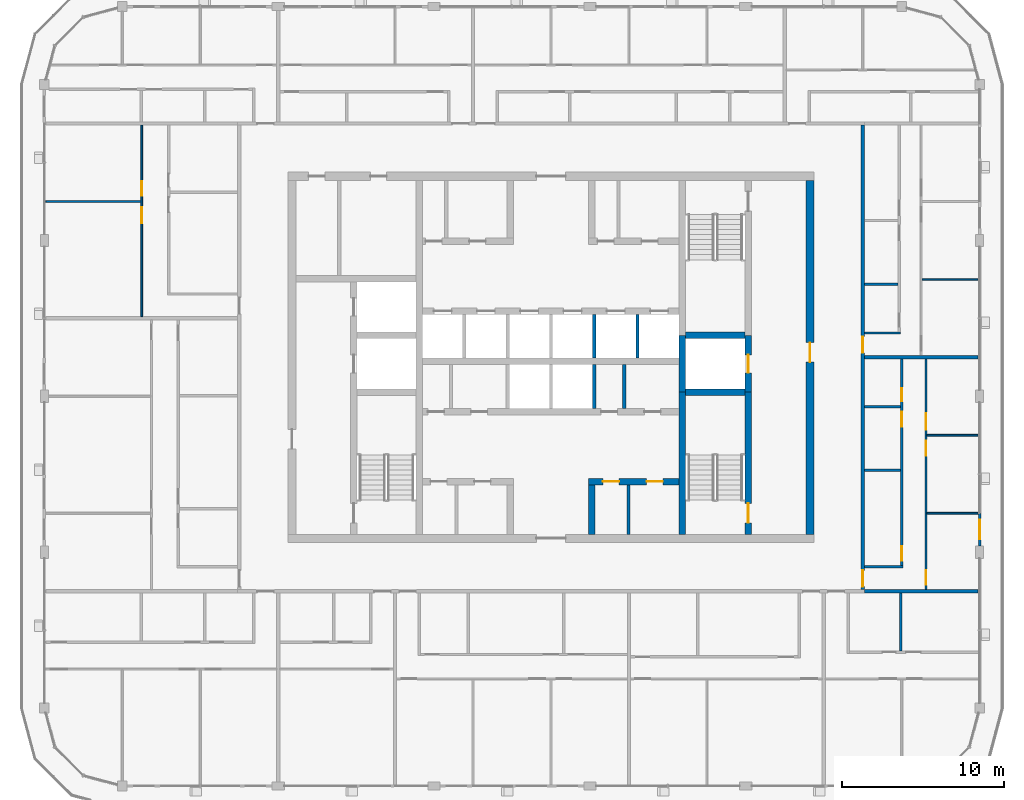
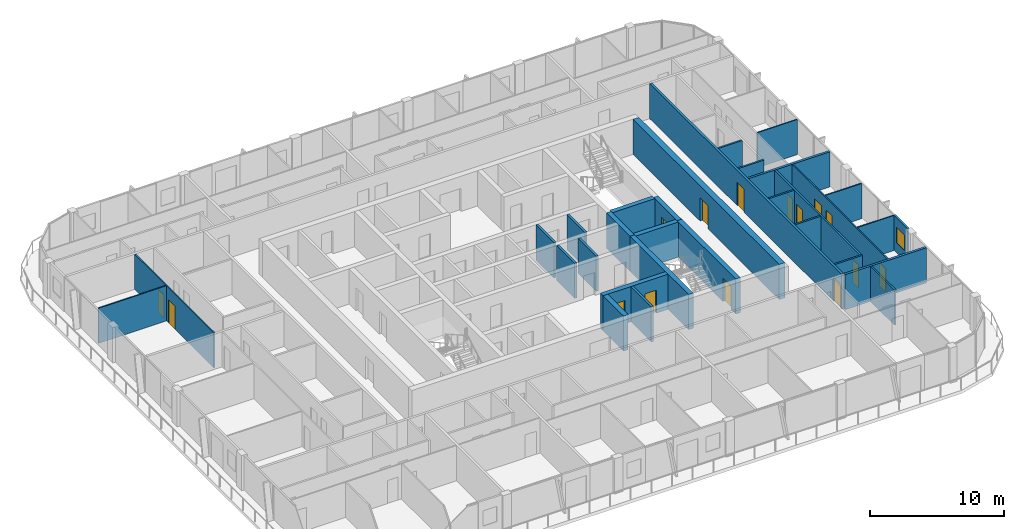
# One storey, part 12 of 22: 31 walls, 15 doors, 1 window, 16 openings.
"""IFC4 building model written with IfcOpenShell, lengths in metres."""

from ifc_helpers import new_model, si_unit, direction, frame, frame_2d, origin, place, context, subcontext, project, spatial, rectangle, extrude, material, layer, layer_set, type_object, element, fill, save


model = new_model("IFC4")

# Units and contexts
model_context = context("Model", 3, precision=1e-05, world=origin(), true_north=direction((0.0, 1.0)))
body_context = subcontext(model_context, "Body", "Model", "MODEL_VIEW")
ifc_project = project(units=[si_unit("LENGTHUNIT", "METRE"), si_unit("AREAUNIT", "SQUARE_METRE"), si_unit("VOLUMEUNIT", "CUBIC_METRE"), si_unit("PLANEANGLEUNIT", "RADIAN"), si_unit("MASSUNIT", "GRAM", prefix="KILO")], contexts=[model_context])

# Site, building, storey
site_placement = place(None, origin())
site = spatial("IfcSite", under=ifc_project, at=site_placement, CompositionType="ELEMENT")
building_placement = place(site_placement, origin())
building = spatial("IfcBuilding", under=site, at=building_placement, Name="Madar Terraces", CompositionType="ELEMENT")
storey_placement = place(building_placement, frame((0.0, 0.0, 279.10009765625)))
storey = spatial("IfcBuildingStorey", under=building, at=storey_placement, Name="L73", CompositionType="ELEMENT", Elevation=279.10009765625)

# Walls
ifc_material_1 = material(Name="Concrete C50/60", Category="concrete")
ifc_layer_1 = layer(ifc_material_1, 0.39990234375)
ifc_layer_set_1 = layer_set([ifc_layer_1], Name="Concrete C50/60 (CIW6 RC wall 400)")
wall_type_1 = type_object("IfcWallType", Name="CIW6 RC wall 400", PredefinedType="SHEAR", material=ifc_layer_set_1)
wall_1_placement = place(storey_placement, frame((39.300048828125, 15.5, 0.0), z_axis=(0.0, 0.0, 1.0), x_axis=(0.0, 1.0, 0.0)))
element("IfcWall", 1, at=wall_1_placement, inside=storey, type_object=wall_type_1, Name="CORE SHAFT WALL", PredefinedType="SHEAR", context=body_context, shape_type="SweptSolid", body=[
    extrude(rectangle(XDim=8.75, YDim=0.39990234375, at=frame_2d((4.375, 0.0))), origin(), (0.0, 0.0, 1.0), 3.199951171875),
])
wall_2_placement = place(storey_placement, frame((39.300048828125, 24.25, 0.0), z_axis=(0.0, 0.0, 1.0), x_axis=(0.0, 1.0, 0.0)))
element("IfcWall", 2, at=wall_2_placement, inside=storey, type_object=wall_type_1, Name="CORE SHAFT WALL", PredefinedType="SHEAR", context=body_context, shape_type="SweptSolid", body=[
    extrude(rectangle(XDim=3.5, YDim=0.39990234375, at=frame_2d((1.75, 0.0))), origin(), (0.0, 0.0, 1.0), 3.199951171875),
])

# Wall, opening, door
wall_3_placement = place(storey_placement, frame((43.35009765625, 15.5, 0.0), z_axis=(0.0, 0.0, 1.0), x_axis=(0.0, 1.0, 0.0)))
wall_3 = element("IfcWall", 3, at=wall_3_placement, inside=storey, type_object=wall_type_1, Name="CORE SHAFT WALL", PredefinedType="SHEAR", context=body_context, shape_type="SweptSolid", body=[
    extrude(rectangle(XDim=8.75, YDim=0.39990234375, at=frame_2d((4.375, 0.0))), origin(), (0.0, 0.0, 1.0), 3.199951171875),
])
opening_1_placement = place(wall_3_placement, frame((0.699951171875, 0.0, 0.0)))
opening_1 = element("IfcOpeningElement", 4, at=opening_1_placement, cuts=wall_3, Name="Opening SD1", PredefinedType="OPENING", context=body_context, shape_type="SweptSolid", body=[
    extrude(rectangle(XDim=1.199951171875, YDim=2.10009765625, at=frame_2d((0.60009765625, 1.050048828125))), frame((0.0, 0.2099609375, 0.0), z_axis=(0.0, -1.0, 0.0), x_axis=(1.0, 0.0, 0.0)), (0.0, 0.0, 1.0), 0.419921875),
])
ifc_material_2 = material(Name="Steel door leaf", Category="steel")
door_type_1 = type_object("IfcDoorType", Name="Stair door 1200 x 2100", OperationType="NOTDEFINED", PredefinedType="DOOR", material=ifc_material_2)
door_1_placement = place(opening_1_placement, origin())
door_1 = element("IfcDoor", 5, at=door_1_placement, inside=storey, type_object=door_type_1, Name="STAIR DOOR", OperationType="SINGLE_SWING_RIGHT", OverallHeight=2.10009765625, OverallWidth=1.199951171875, PredefinedType="DOOR", context=body_context, shape_type="SweptSolid", body=[
    extrude(rectangle(XDim=1.199951171875, YDim=2.10009765625, at=frame_2d((0.60009765625, 1.050048828125))), frame((0.0, 0.02490234375, 0.0), z_axis=(0.0, -1.0, 0.0), x_axis=(1.0, 0.0, 0.0)), (0.0, 0.0, 1.0), 0.050048828125),
])
fill(opening_1, door_1)

wall_4_placement = place(storey_placement, frame((43.35009765625, 24.25, 0.0), z_axis=(0.0, 0.0, 1.0), x_axis=(0.0, 1.0, 0.0)))
wall_4 = element("IfcWall", 6, at=wall_4_placement, inside=storey, type_object=wall_type_1, Name="CORE SHAFT WALL", PredefinedType="SHEAR", context=body_context, shape_type="SweptSolid", body=[
    extrude(rectangle(XDim=3.5, YDim=0.39990234375, at=frame_2d((1.75, 0.0))), origin(), (0.0, 0.0, 1.0), 3.199951171875),
])
opening_2_placement = place(wall_4_placement, frame((1.199951171875, 0.0, 0.0)))
opening_2 = element("IfcOpeningElement", 7, at=opening_2_placement, cuts=wall_4, Name="Opening LD", PredefinedType="OPENING", context=body_context, shape_type="SweptSolid", body=[
    extrude(rectangle(XDim=1.10009765625, YDim=2.10009765625, at=frame_2d((0.550048828125, 1.050048828125))), frame((0.0, 0.2099609375, 0.0), z_axis=(0.0, -1.0, 0.0), x_axis=(1.0, 0.0, 0.0)), (0.0, 0.0, 1.0), 0.419921875),
])
ifc_material_3 = material(Name="Stainless steel panel", Category="steel")
door_type_2 = type_object("IfcDoorType", Name="Lift landing door 1100 x 2100", OperationType="DOUBLE_DOOR_SLIDING", PredefinedType="DOOR", material=ifc_material_3)
door_2_placement = place(opening_2_placement, origin())
door_2 = element("IfcDoor", 8, at=door_2_placement, inside=storey, type_object=door_type_2, Name="LIFT LANDING DOOR", OperationType="DOUBLE_DOOR_SLIDING", OverallHeight=2.10009765625, OverallWidth=1.10009765625, PredefinedType="DOOR", context=body_context, shape_type="SweptSolid", body=[
    extrude(rectangle(XDim=1.10009765625, YDim=2.10009765625, at=frame_2d((0.550048828125, 1.050048828125))), frame((0.0, 0.02490234375, 0.0), z_axis=(0.0, -1.0, 0.0), x_axis=(1.0, 0.0, 0.0)), (0.0, 0.0, 1.0), 0.050048828125),
])
fill(opening_2, door_2)

# Walls
for number, where, z_axis, x_axis, name in (
    (9, (39.5, 24.25, 0.0), (0.0, 0.0, 1.0), (1.0, 0.0, 0.0), "CORE SHAFT WALL"),
    (10, (39.5, 27.75, 0.0), (0.0, 0.0, 1.0), (1.0, 0.0, 0.0), "CORE SHAFT WALL"),
):
    element("IfcWall", number, at=place(storey_placement, frame(where, z_axis=z_axis, x_axis=x_axis)), inside=storey, type_object=wall_type_1, Name=name, PredefinedType="SHEAR", context=body_context, shape_type="SweptSolid", body=[
        extrude(rectangle(XDim=3.64990234375, YDim=0.39990234375, at=frame_2d((1.824951171875, 0.0))), origin(), (0.0, 0.0, 1.0), 3.199951171875),
    ])

# Wall, openings, doors
wall_5_placement = place(storey_placement, frame((33.5, 18.75, 0.0), z_axis=(0.0, 0.0, 1.0), x_axis=(1.0, 0.0, 0.0)))
wall_5 = element("IfcWall", 11, at=wall_5_placement, inside=storey, type_object=wall_type_1, Name="CORE SHAFT WALL", PredefinedType="SHEAR", context=body_context, shape_type="SweptSolid", body=[
    extrude(rectangle(XDim=5.60009765625, YDim=0.39990234375, at=frame_2d((2.800048828125, 0.0))), origin(), (0.0, 0.0, 1.0), 3.199951171875),
])
opening_3_placement = place(wall_5_placement, frame((0.889892578125, 0.0, 0.0)))
opening_3 = element("IfcOpeningElement", 12, at=opening_3_placement, cuts=wall_5, Name="Opening KD2", PredefinedType="OPENING", context=body_context, shape_type="SweptSolid", body=[
    extrude(rectangle(XDim=1.0, YDim=2.10009765625, at=frame_2d((0.5, 1.050048828125))), frame((0.0, 0.2099609375, 0.0), z_axis=(0.0, -1.0, 0.0), x_axis=(1.0, 0.0, 0.0)), (0.0, 0.0, 1.0), 0.419921875),
])
opening_4_placement = place(wall_5_placement, frame((3.590087890625, 0.0, 0.0)))
opening_4 = element("IfcOpeningElement", 13, at=opening_4_placement, cuts=wall_5, Name="Opening KD2", PredefinedType="OPENING", context=body_context, shape_type="SweptSolid", body=[
    extrude(rectangle(XDim=1.0, YDim=2.10009765625, at=frame_2d((0.5, 1.050048828125))), frame((0.0, 0.2099609375, 0.0), z_axis=(0.0, -1.0, 0.0), x_axis=(1.0, 0.0, 0.0)), (0.0, 0.0, 1.0), 0.419921875),
])
ifc_material_4 = material(Name="Steel door leaf", Category="steel")
door_type_3 = type_object("IfcDoorType", Name="Service room door 1000 x 2100", OperationType="NOTDEFINED", PredefinedType="DOOR", material=ifc_material_4)
door_3_placement = place(opening_3_placement, origin())
door_3 = element("IfcDoor", 14, at=door_3_placement, inside=storey, type_object=door_type_3, Name="SERVICE ROOM DOOR", OperationType="SINGLE_SWING_RIGHT", OverallHeight=2.10009765625, OverallWidth=1.0, PredefinedType="DOOR", context=body_context, shape_type="SweptSolid", body=[
    extrude(rectangle(XDim=1.0, YDim=2.10009765625, at=frame_2d((0.5, 1.050048828125))), frame((0.0, 0.02490234375, 0.0), z_axis=(0.0, -1.0, 0.0), x_axis=(1.0, 0.0, 0.0)), (0.0, 0.0, 1.0), 0.050048828125),
])
fill(opening_3, door_3)
door_4_placement = place(opening_4_placement, origin())
door_4 = element("IfcDoor", 15, at=door_4_placement, inside=storey, type_object=door_type_3, Name="SERVICE ROOM DOOR", OperationType="SINGLE_SWING_LEFT", OverallHeight=2.10009765625, OverallWidth=1.0, PredefinedType="DOOR", context=body_context, shape_type="SweptSolid", body=[
    extrude(rectangle(XDim=1.0, YDim=2.10009765625, at=frame_2d((0.5, 1.050048828125))), frame((0.0, 0.02490234375, 0.0), z_axis=(0.0, -1.0, 0.0), x_axis=(1.0, 0.0, 0.0)), (0.0, 0.0, 1.0), 0.050048828125),
])
fill(opening_4, door_4)

# Wall
wall_6_placement = place(storey_placement, frame((33.699951171875, 15.5, 0.0), z_axis=(0.0, 0.0, 1.0), x_axis=(0.0, 1.0, 0.0)))
element("IfcWall", 16, at=wall_6_placement, inside=storey, type_object=wall_type_1, Name="CORE SHAFT WALL", PredefinedType="SHEAR", context=body_context, shape_type="SweptSolid", body=[
    extrude(rectangle(XDim=3.050048828125, YDim=0.39990234375, at=frame_2d((1.52490234375, 0.0))), origin(), (0.0, 0.0, 1.0), 3.199951171875),
])

# Wall, opening, door
ifc_material_5 = material(Name="Concrete C50/60", Category="concrete")
ifc_layer_2 = layer(ifc_material_5, 0.5)
ifc_layer_set_2 = layer_set([ifc_layer_2], Name="Concrete C50/60 (CRW6 RC wall 500)")
wall_type_2 = type_object("IfcWallType", Name="CRW6 RC wall 500", PredefinedType="SHEAR", material=ifc_layer_set_2)
wall_7_placement = place(storey_placement, frame((47.14990234375, 15.5, 0.0), z_axis=(0.0, 0.0, 1.0), x_axis=(0.0, 1.0, 0.0)))
wall_7 = element("IfcWall", 17, at=wall_7_placement, inside=storey, type_object=wall_type_2, Name="CORE OUTER WALL", PredefinedType="SHEAR", context=body_context, shape_type="SweptSolid", body=[
    extrude(rectangle(XDim=21.800048828125, YDim=0.5, at=frame_2d((10.89990234375, 0.0))), origin(), (0.0, 0.0, 1.0), 3.199951171875),
])
opening_5_placement = place(wall_7_placement, frame((10.60009765625, 0.0, 0.0)))
opening_5 = element("IfcOpeningElement", 18, at=opening_5_placement, cuts=wall_7, Name="Opening SD1", PredefinedType="OPENING", context=body_context, shape_type="SweptSolid", body=[
    extrude(rectangle(XDim=1.199951171875, YDim=2.10009765625, at=frame_2d((0.60009765625, 1.050048828125))), frame((0.0, 0.260009765625, 0.0), z_axis=(0.0, -1.0, 0.0), x_axis=(1.0, 0.0, 0.0)), (0.0, 0.0, 1.0), 0.52001953125),
])
door_5_placement = place(opening_5_placement, origin())
door_5 = element("IfcDoor", 19, at=door_5_placement, inside=storey, type_object=door_type_1, Name="STAIR DOOR", OperationType="SINGLE_SWING_LEFT", OverallHeight=2.10009765625, OverallWidth=1.199951171875, PredefinedType="DOOR", context=body_context, shape_type="SweptSolid", body=[
    extrude(rectangle(XDim=1.199951171875, YDim=2.10009765625, at=frame_2d((0.60009765625, 1.050048828125))), frame((0.0, 0.02490234375, 0.0), z_axis=(0.0, -1.0, 0.0), x_axis=(1.0, 0.0, 0.0)), (0.0, 0.0, 1.0), 0.050048828125),
])
fill(opening_5, door_5)

# Walls
ifc_material_6 = material(Name="Masonry blockwork", Category="masonry")
ifc_layer_3 = layer(ifc_material_6, 0.199951171875)
ifc_layer_set_3 = layer_set([ifc_layer_3], Name="Core partition 200 blockwork")
wall_type_3 = type_object("IfcWallType", Name="Core partition 200 blockwork", PredefinedType="PARTITIONING", material=ifc_layer_set_3)
wall_8_placement = place(storey_placement, frame((35.7119140625, 23.25, 0.0), z_axis=(0.0, 0.0, 1.0), x_axis=(0.0, 1.0, 0.0)))
element("IfcWall", 20, at=wall_8_placement, inside=storey, type_object=wall_type_3, Name="SERVICE ROOM PARTITION", PredefinedType="PARTITIONING", context=body_context, shape_type="SweptSolid", body=[
    extrude(rectangle(XDim=2.699951171875, YDim=0.199951171875, at=frame_2d((1.35009765625, 0.0))), origin(), (0.0, 0.0, 1.0), 3.199951171875),
])
wall_9_placement = place(storey_placement, frame((35.97998046875, 15.5, 0.0), z_axis=(0.0, 0.0, 1.0), x_axis=(0.0, 1.0, 0.0)))
element("IfcWall", 21, at=wall_9_placement, inside=storey, type_object=wall_type_3, Name="SERVICE ROOM PARTITION", PredefinedType="PARTITIONING", context=body_context, shape_type="SweptSolid", body=[
    extrude(rectangle(XDim=3.050048828125, YDim=0.199951171875, at=frame_2d((1.52490234375, 0.0))), origin(), (0.0, 0.0, 1.0), 3.199951171875),
])
ifc_material_7 = material(Name="Concrete C40/50", Category="concrete")
ifc_layer_4 = layer(ifc_material_7, 0.199951171875)
ifc_layer_set_4 = layer_set([ifc_layer_4], Name="Core shaft dividing wall 200 C40/50")
wall_type_4 = type_object("IfcWallType", Name="Core shaft dividing wall 200 C40/50", PredefinedType="SOLIDWALL", material=ifc_layer_set_4)
for number, where, z_axis, x_axis, name in (
    (22, (33.86669921875, 23.25, 0.0), (0.0, 0.0, 1.0), (0.0, 1.0, 0.0), "SHAFT DIVIDING WALL"),
    (23, (33.86669921875, 26.35009765625, 0.0), (0.0, 0.0, 1.0), (0.0, 1.0, 0.0), "SHAFT DIVIDING WALL"),
    (24, (36.533447265625, 26.35009765625, 0.0), (0.0, 0.0, 1.0), (0.0, 1.0, 0.0), "SHAFT DIVIDING WALL"),
):
    element("IfcWall", number, at=place(storey_placement, frame(where, z_axis=z_axis, x_axis=x_axis)), inside=storey, type_object=wall_type_4, Name=name, PredefinedType="SOLIDWALL", context=body_context, shape_type="SweptSolid", body=[
        extrude(rectangle(XDim=2.699951171875, YDim=0.199951171875, at=frame_2d((1.35009765625, 0.0))), origin(), (0.0, 0.0, 1.0), 3.199951171875),
    ])

# Wall, opening, window
ifc_material_8 = material(Name="Aluminium composite panel, black, over insulated backing", Category="aluminium")
ifc_layer_5 = layer(ifc_material_8, 0.14990234375)
ifc_layer_set_5 = layer_set([ifc_layer_5], Name="Facade bay panel 150")
wall_type_5 = type_object("IfcWallType", Name="Facade bay panel 150", PredefinedType="SOLIDWALL", material=ifc_layer_set_5)
wall_10_placement = place(storey_placement, frame((57.60009765625, 14.77490234375, 0.0), z_axis=(0.0, 0.0, 1.0), x_axis=(0.0, 1.0, 0.0)))
wall_10 = element("IfcWall", 25, at=wall_10_placement, inside=storey, type_object=wall_type_5, Name="Facade bay panel", PredefinedType="SOLIDWALL", context=body_context, shape_type="SweptSolid", body=[
    extrude(rectangle(XDim=2.025146484375, YDim=0.14990234375, at=frame_2d((1.0126953125, 0.0))), origin(), (0.0, 0.0, 1.0), 3.199951171875),
])
opening_6_placement = place(wall_10_placement, frame((0.41259765625, 0.0, 0.89990234375)))
opening_6 = element("IfcOpeningElement", 26, at=opening_6_placement, cuts=wall_10, Name="Opening W1", PredefinedType="OPENING", context=body_context, shape_type="SweptSolid", body=[
    extrude(rectangle(XDim=1.199951171875, YDim=1.39990234375, at=frame_2d((0.60009765625, 0.699951171875))), frame((0.0, 0.0849609375, 0.0), z_axis=(0.0, -1.0, 0.0), x_axis=(1.0, 0.0, 0.0)), (0.0, 0.0, 1.0), 0.169921875),
])
ifc_material_9 = material(Name="Glass, clear, with black aluminium frame", Category="aluminium")
window_type = type_object("IfcWindowType", Name="Vent window 1200 x 1400", PartitioningType="SINGLE_PANEL", PredefinedType="WINDOW", material=ifc_material_9)
window_placement = place(opening_6_placement, origin())
window = element("IfcWindow", 27, at=window_placement, inside=storey, type_object=window_type, Name="Operable vent window", OverallHeight=1.39990234375, OverallWidth=1.199951171875, PartitioningType="SINGLE_PANEL", PredefinedType="WINDOW", context=body_context, shape_type="SweptSolid", body=[
    extrude(rectangle(XDim=1.199951171875, YDim=1.39990234375, at=frame_2d((0.60009765625, 0.699951171875))), frame((0.0, 0.030029296875, 0.0), z_axis=(0.0, -1.0, 0.0), x_axis=(1.0, 0.0, 0.0)), (0.0, 0.0, 1.0), 0.06005859375),
])
fill(opening_6, window)

# Walls
ifc_material_10 = material(Name="Gypsum board on steel studs", Category="steel")
ifc_layer_6 = layer(ifc_material_10, 0.10009765625)
ifc_layer_set_6 = layer_set([ifc_layer_6], Name="Flat partition 100")
wall_type_6 = type_object("IfcWallType", Name="Flat partition 100", PredefinedType="PARTITIONING", material=ifc_layer_set_6)
for number, where, z_axis, x_axis, name in (
    (28, (54.35009765625, 16.800048828125, 0.0), (0.0, 0.0, 1.0), (1.0, 0.0, 0.0), "Flat partition 100"),
    (29, (54.35009765625, 21.60009765625, 0.0), (0.0, 0.0, 1.0), (1.0, 0.0, 0.0), "Flat partition 100"),
):
    element("IfcWall", number, at=place(storey_placement, frame(where, z_axis=z_axis, x_axis=x_axis)), inside=storey, type_object=wall_type_6, Name=name, PredefinedType="PARTITIONING", context=body_context, shape_type="SweptSolid", body=[
        extrude(rectangle(XDim=3.14990234375, YDim=0.10009765625, at=frame_2d((1.574951171875, 0.0))), origin(), (0.0, 0.0, 1.0), 3.199951171875),
    ])

# Wall, openings, doors
wall_11_placement = place(storey_placement, frame((54.300048828125, 26.300048828125, 0.0), z_axis=(0.0, 0.0, 1.0), x_axis=(0.0, -1.0, 0.0)))
wall_11 = element("IfcWall", 30, at=wall_11_placement, inside=storey, type_object=wall_type_6, Name="Flat partition 100", PredefinedType="PARTITIONING", context=body_context, shape_type="SweptSolid", body=[
    extrude(rectangle(XDim=14.199951171875, YDim=0.10009765625, at=frame_2d((7.10009765625, 0.0))), origin(), (0.0, 0.0, 1.0), 3.199951171875),
])
opening_7_placement = place(wall_11_placement, frame((13.0, 0.0, 0.0)))
opening_7 = element("IfcOpeningElement", 31, at=opening_7_placement, cuts=wall_11, Name="Opening D2", PredefinedType="OPENING", context=body_context, shape_type="SweptSolid", body=[
    extrude(rectangle(XDim=0.89990234375, YDim=2.10009765625, at=frame_2d((0.449951171875, 1.050048828125))), frame((0.0, 0.06005859375, 0.0), z_axis=(0.0, -1.0, 0.0), x_axis=(1.0, 0.0, 0.0)), (0.0, 0.0, 1.0), 0.1201171875),
])
opening_8_placement = place(wall_11_placement, frame((5.050048828125, 0.0, 0.0)))
opening_8 = element("IfcOpeningElement", 32, at=opening_8_placement, cuts=wall_11, Name="Opening D2", PredefinedType="OPENING", context=body_context, shape_type="SweptSolid", body=[
    extrude(rectangle(XDim=0.89990234375, YDim=2.10009765625, at=frame_2d((0.449951171875, 1.050048828125))), frame((0.0, 0.06005859375, 0.0), z_axis=(0.0, -1.0, 0.0), x_axis=(1.0, 0.0, 0.0)), (0.0, 0.0, 1.0), 0.1201171875),
])
opening_9_placement = place(wall_11_placement, frame((3.35009765625, 0.0, 0.0)))
opening_9 = element("IfcOpeningElement", 33, at=opening_9_placement, cuts=wall_11, Name="Opening D3", PredefinedType="OPENING", context=body_context, shape_type="SweptSolid", body=[
    extrude(rectangle(XDim=1.0, YDim=2.10009765625, at=frame_2d((0.5, 1.050048828125))), frame((0.0, 0.06005859375, 0.0), z_axis=(0.0, -1.0, 0.0), x_axis=(1.0, 0.0, 0.0)), (0.0, 0.0, 1.0), 0.1201171875),
])
ifc_material_11 = material(Name="Timber door leaf", Category="wood")
door_type_4 = type_object("IfcDoorType", Name="Flat living room door 1000", OperationType="NOTDEFINED", PredefinedType="DOOR", material=ifc_material_11)
door_6_placement = place(opening_9_placement, origin())
door_6 = element("IfcDoor", 34, at=door_6_placement, inside=storey, type_object=door_type_4, Name="Flat living room door 1000", OperationType="SINGLE_SWING_RIGHT", OverallHeight=2.10009765625, OverallWidth=1.0, PredefinedType="DOOR", context=body_context, shape_type="SweptSolid", body=[
    extrude(rectangle(XDim=1.0, YDim=2.10009765625, at=frame_2d((0.5, 1.050048828125))), frame((0.0, 0.02490234375, 0.0), z_axis=(0.0, -1.0, 0.0), x_axis=(1.0, 0.0, 0.0)), (0.0, 0.0, 1.0), 0.050048828125),
])
fill(opening_9, door_6)
ifc_material_12 = material(Name="Timber door leaf", Category="wood")
door_type_5 = type_object("IfcDoorType", Name="Flat room door 900", OperationType="NOTDEFINED", PredefinedType="DOOR", material=ifc_material_12)
door_7_placement = place(opening_7_placement, origin())
door_7 = element("IfcDoor", 35, at=door_7_placement, inside=storey, type_object=door_type_5, Name="Flat room door 900", OperationType="SINGLE_SWING_RIGHT", OverallHeight=2.10009765625, OverallWidth=0.89990234375, PredefinedType="DOOR", context=body_context, shape_type="SweptSolid", body=[
    extrude(rectangle(XDim=0.89990234375, YDim=2.10009765625, at=frame_2d((0.449951171875, 1.050048828125))), frame((0.0, 0.02490234375, 0.0), z_axis=(0.0, -1.0, 0.0), x_axis=(1.0, 0.0, 0.0)), (0.0, 0.0, 1.0), 0.050048828125),
])
fill(opening_7, door_7)
door_8_placement = place(opening_8_placement, origin())
door_8 = element("IfcDoor", 36, at=door_8_placement, inside=storey, type_object=door_type_5, Name="Flat room door 900", OperationType="SINGLE_SWING_LEFT", OverallHeight=2.10009765625, OverallWidth=0.89990234375, PredefinedType="DOOR", context=body_context, shape_type="SweptSolid", body=[
    extrude(rectangle(XDim=0.89990234375, YDim=2.10009765625, at=frame_2d((0.449951171875, 1.050048828125))), frame((0.0, 0.02490234375, 0.0), z_axis=(0.0, -1.0, 0.0), x_axis=(1.0, 0.0, 0.0)), (0.0, 0.0, 1.0), 0.050048828125),
])
fill(opening_8, door_8)

# Walls
wall_12_placement = place(storey_placement, frame((54.050048828125, 31.199951171875, 0.0), z_axis=(0.0, 0.0, 1.0), x_axis=(1.0, 0.0, 0.0)))
element("IfcWall", 37, at=wall_12_placement, inside=storey, type_object=wall_type_6, Name="Flat partition 100", PredefinedType="PARTITIONING", context=body_context, shape_type="SweptSolid", body=[
    extrude(rectangle(XDim=3.449951171875, YDim=0.10009765625, at=frame_2d((1.72509765625, 0.0))), origin(), (0.0, 0.0, 1.0), 3.199951171875),
])
wall_13_placement = place(storey_placement, frame((5.949951171875, 36.0, 0.0), z_axis=(0.0, 0.0, 1.0), x_axis=(-1.0, 0.0, 0.0)))
element("IfcWall", 38, at=wall_13_placement, inside=storey, type_object=wall_type_6, Name="Flat partition 100", PredefinedType="PARTITIONING", context=body_context, shape_type="SweptSolid", body=[
    extrude(rectangle(XDim=5.849853515625, YDim=0.10009765625, at=frame_2d((2.9248046875, 0.0))), origin(), (0.0, 0.0, 1.0), 3.199951171875),
])

# Wall, openings, doors
wall_14_placement = place(storey_placement, frame((6.0, 28.89990234375, 0.0), z_axis=(0.0, 0.0, 1.0), x_axis=(0.0, 1.0, 0.0)))
wall_14 = element("IfcWall", 39, at=wall_14_placement, inside=storey, type_object=wall_type_6, Name="Flat partition 100", PredefinedType="PARTITIONING", context=body_context, shape_type="SweptSolid", body=[
    extrude(rectangle(XDim=11.800048828125, YDim=0.10009765625, at=frame_2d((5.89990234375, 0.0))), origin(), (0.0, 0.0, 1.0), 3.199951171875),
])
opening_10_placement = place(wall_14_placement, frame((5.75, 0.0, 0.0)))
opening_10 = element("IfcOpeningElement", 40, at=opening_10_placement, cuts=wall_14, Name="Opening D3", PredefinedType="OPENING", context=body_context, shape_type="SweptSolid", body=[
    extrude(rectangle(XDim=1.0, YDim=2.10009765625, at=frame_2d((0.5, 1.050048828125))), frame((0.0, 0.06005859375, 0.0), z_axis=(0.0, -1.0, 0.0), x_axis=(1.0, 0.0, 0.0)), (0.0, 0.0, 1.0), 0.1201171875),
])
opening_11_placement = place(wall_14_placement, frame((7.449951171875, 0.0, 0.0)))
opening_11 = element("IfcOpeningElement", 41, at=opening_11_placement, cuts=wall_14, Name="Opening D2", PredefinedType="OPENING", context=body_context, shape_type="SweptSolid", body=[
    extrude(rectangle(XDim=0.89990234375, YDim=2.10009765625, at=frame_2d((0.449951171875, 1.050048828125))), frame((0.0, 0.06005859375, 0.0), z_axis=(0.0, -1.0, 0.0), x_axis=(1.0, 0.0, 0.0)), (0.0, 0.0, 1.0), 0.1201171875),
])
door_9_placement = place(opening_10_placement, origin())
door_9 = element("IfcDoor", 42, at=door_9_placement, inside=storey, type_object=door_type_4, Name="Flat living room door 1000", OperationType="SINGLE_SWING_RIGHT", OverallHeight=2.10009765625, OverallWidth=1.0, PredefinedType="DOOR", context=body_context, shape_type="SweptSolid", body=[
    extrude(rectangle(XDim=1.0, YDim=2.10009765625, at=frame_2d((0.5, 1.050048828125))), frame((0.0, 0.02490234375, 0.0), z_axis=(0.0, -1.0, 0.0), x_axis=(1.0, 0.0, 0.0)), (0.0, 0.0, 1.0), 0.050048828125),
])
fill(opening_10, door_9)
door_10_placement = place(opening_11_placement, origin())
door_10 = element("IfcDoor", 43, at=door_10_placement, inside=storey, type_object=door_type_5, Name="Flat room door 900", OperationType="SINGLE_SWING_LEFT", OverallHeight=2.10009765625, OverallWidth=0.89990234375, PredefinedType="DOOR", context=body_context, shape_type="SweptSolid", body=[
    extrude(rectangle(XDim=0.89990234375, YDim=2.10009765625, at=frame_2d((0.449951171875, 1.050048828125))), frame((0.0, 0.02490234375, 0.0), z_axis=(0.0, -1.0, 0.0), x_axis=(1.0, 0.0, 0.0)), (0.0, 0.0, 1.0), 0.050048828125),
])
fill(opening_11, door_10)

ifc_material_13 = material(Name="Lightweight blockwork", Category="masonry")
ifc_layer_7 = layer(ifc_material_13, 0.199951171875)
ifc_layer_set_7 = layer_set([ifc_layer_7], Name="Flat party and entrance wall 200")
wall_type_7 = type_object("IfcWallType", Name="Flat party and entrance wall 200", PredefinedType="PARTITIONING", material=ifc_layer_set_7)
wall_15_placement = place(storey_placement, frame((50.39990234375, 40.699951171875, 0.0), z_axis=(0.0, 0.0, 1.0), x_axis=(0.0, -1.0, 0.0)))
wall_15 = element("IfcWall", 44, at=wall_15_placement, inside=storey, type_object=wall_type_7, Name="Flat party and entrance wall 200", PredefinedType="PARTITIONING", context=body_context, shape_type="SweptSolid", body=[
    extrude(rectangle(XDim=28.599853515625, YDim=0.199951171875, at=frame_2d((14.2998046875, 0.0))), origin(), (0.0, 0.0, 1.0), 3.199951171875),
])
opening_12_placement = place(wall_15_placement, frame((27.425048828125, 0.0, 0.0)))
opening_12 = element("IfcOpeningElement", 45, at=opening_12_placement, cuts=wall_15, Name="Opening D1", PredefinedType="OPENING", context=body_context, shape_type="SweptSolid", body=[
    extrude(rectangle(XDim=1.0, YDim=2.10009765625, at=frame_2d((0.5, 1.050048828125))), frame((0.0, 0.10986328125, 0.0), z_axis=(0.0, -1.0, 0.0), x_axis=(1.0, 0.0, 0.0)), (0.0, 0.0, 1.0), 0.219970703125),
])
opening_13_placement = place(wall_15_placement, frame((13.02490234375, 0.0, 0.0)))
opening_13 = element("IfcOpeningElement", 46, at=opening_13_placement, cuts=wall_15, Name="Opening D1", PredefinedType="OPENING", context=body_context, shape_type="SweptSolid", body=[
    extrude(rectangle(XDim=1.0, YDim=2.10009765625, at=frame_2d((0.5, 1.050048828125))), frame((0.0, 0.10986328125, 0.0), z_axis=(0.0, -1.0, 0.0), x_axis=(1.0, 0.0, 0.0)), (0.0, 0.0, 1.0), 0.219970703125),
])
ifc_material_14 = material(Name="Timber fire door leaf", Category="wood")
door_type_6 = type_object("IfcDoorType", Name="Flat entrance door 1000 FD30S", OperationType="NOTDEFINED", PredefinedType="DOOR", material=ifc_material_14)
door_11_placement = place(opening_12_placement, origin())
door_11 = element("IfcDoor", 47, at=door_11_placement, inside=storey, type_object=door_type_6, Name="Flat entrance door 1000 FD30S", OperationType="SINGLE_SWING_RIGHT", OverallHeight=2.10009765625, OverallWidth=1.0, PredefinedType="DOOR", context=body_context, shape_type="SweptSolid", body=[
    extrude(rectangle(XDim=1.0, YDim=2.10009765625, at=frame_2d((0.5, 1.050048828125))), frame((0.0, 0.02490234375, 0.0), z_axis=(0.0, -1.0, 0.0), x_axis=(1.0, 0.0, 0.0)), (0.0, 0.0, 1.0), 0.050048828125),
])
fill(opening_12, door_11)
door_12_placement = place(opening_13_placement, origin())
door_12 = element("IfcDoor", 48, at=door_12_placement, inside=storey, type_object=door_type_6, Name="Flat entrance door 1000 FD30S", OperationType="SINGLE_SWING_RIGHT", OverallHeight=2.10009765625, OverallWidth=1.0, PredefinedType="DOOR", context=body_context, shape_type="SweptSolid", body=[
    extrude(rectangle(XDim=1.0, YDim=2.10009765625, at=frame_2d((0.5, 1.050048828125))), frame((0.0, 0.02490234375, 0.0), z_axis=(0.0, -1.0, 0.0), x_axis=(1.0, 0.0, 0.0)), (0.0, 0.0, 1.0), 0.050048828125),
])
fill(opening_13, door_12)

# Walls
for number, where, z_axis, x_axis, name in (
    (49, (50.5, 12.0, 0.0), (0.0, 0.0, 1.0), (1.0, 0.0, 0.0), "Flat party and entrance wall 200"),
    (50, (50.5, 26.39990234375, 0.0), (0.0, 0.0, 1.0), (1.0, 0.0, 0.0), "Flat party and entrance wall 200"),
):
    element("IfcWall", number, at=place(storey_placement, frame(where, z_axis=z_axis, x_axis=x_axis)), inside=storey, type_object=wall_type_7, Name=name, PredefinedType="PARTITIONING", context=body_context, shape_type="SweptSolid", body=[
        extrude(rectangle(XDim=7.0, YDim=0.199951171875, at=frame_2d((3.5, 0.0))), origin(), (0.0, 0.0, 1.0), 3.199951171875),
    ])
ifc_material_15 = material(Name="Lightweight blockwork", Category="masonry")
ifc_layer_8 = layer(ifc_material_15, 0.14990234375)
ifc_layer_set_8 = layer_set([ifc_layer_8], Name="Flat wet-room partition 150")
wall_type_8 = type_object("IfcWallType", Name="Flat wet-room partition 150", PredefinedType="PARTITIONING", material=ifc_layer_set_8)
wall_16_placement = place(storey_placement, frame((52.7451171875, 11.89990234375, 0.0), z_axis=(0.0, 0.0, 1.0), x_axis=(0.0, -1.0, 0.0)))
element("IfcWall", 51, at=wall_16_placement, inside=storey, type_object=wall_type_8, Name="Flat wet-room partition 150", PredefinedType="PARTITIONING", context=body_context, shape_type="SweptSolid", body=[
    extrude(rectangle(XDim=3.574951171875, YDim=0.14990234375, at=frame_2d((1.78759765625, 0.0))), origin(), (0.0, 0.0, 1.0), 3.199951171875),
])
for number, where, z_axis, x_axis, name in (
    (52, (50.5, 19.447998046875, 0.0), (0.0, 0.0, 1.0), (1.0, 0.0, 0.0), "Flat wet-room partition 150"),
    (53, (50.5, 23.363525390625, 0.0), (0.0, 0.0, 1.0), (1.0, 0.0, 0.0), "Flat wet-room partition 150"),
):
    element("IfcWall", number, at=place(storey_placement, frame(where, z_axis=z_axis, x_axis=x_axis)), inside=storey, type_object=wall_type_8, Name=name, PredefinedType="PARTITIONING", context=body_context, shape_type="SweptSolid", body=[
        extrude(rectangle(XDim=2.22509765625, YDim=0.14990234375, at=frame_2d((1.112548828125, 0.0))), origin(), (0.0, 0.0, 1.0), 3.199951171875),
    ])
wall_17_placement = place(storey_placement, frame((50.5, 13.5, 0.0), z_axis=(0.0, 0.0, 1.0), x_axis=(1.0, 0.0, 0.0)))
element("IfcWall", 54, at=wall_17_placement, inside=storey, type_object=wall_type_8, Name="Flat wet-room partition 150", PredefinedType="PARTITIONING", context=body_context, shape_type="SweptSolid", body=[
    extrude(rectangle(XDim=2.375, YDim=0.14990234375, at=frame_2d((1.1875, 0.0))), origin(), (0.0, 0.0, 1.0), 3.199951171875),
])

# Wall, openings, doors
wall_18_placement = place(storey_placement, frame((52.800048828125, 13.574951171875, 0.0), z_axis=(0.0, 0.0, 1.0), x_axis=(0.0, 1.0, 0.0)))
wall_18 = element("IfcWall", 55, at=wall_18_placement, inside=storey, type_object=wall_type_8, Name="Flat wet-room partition 150", PredefinedType="PARTITIONING", context=body_context, shape_type="SweptSolid", body=[
    extrude(rectangle(XDim=12.72509765625, YDim=0.14990234375, at=frame_2d((6.362548828125, 0.0))), origin(), (0.0, 0.0, 1.0), 3.199951171875),
])
opening_14_placement = place(wall_18_placement, frame((0.300048828125, 0.0, 0.0)))
opening_14 = element("IfcOpeningElement", 56, at=opening_14_placement, cuts=wall_18, Name="Opening D2", PredefinedType="OPENING", context=body_context, shape_type="SweptSolid", body=[
    extrude(rectangle(XDim=0.89990234375, YDim=2.10009765625, at=frame_2d((0.449951171875, 1.050048828125))), frame((0.0, 0.0849609375, 0.0), z_axis=(0.0, -1.0, 0.0), x_axis=(1.0, 0.0, 0.0)), (0.0, 0.0, 1.0), 0.169921875),
])
opening_15_placement = place(wall_18_placement, frame((8.5634765625, 0.0, 0.0)))
opening_15 = element("IfcOpeningElement", 57, at=opening_15_placement, cuts=wall_18, Name="Opening D5", PredefinedType="OPENING", context=body_context, shape_type="SweptSolid", body=[
    extrude(rectangle(XDim=0.89990234375, YDim=2.10009765625, at=frame_2d((0.449951171875, 1.050048828125))), frame((0.0, 0.0849609375, 0.0), z_axis=(0.0, -1.0, 0.0), x_axis=(1.0, 0.0, 0.0)), (0.0, 0.0, 1.0), 0.169921875),
])
opening_16_placement = place(wall_18_placement, frame((10.113525390625, 0.0, 0.0)))
opening_16 = element("IfcOpeningElement", 58, at=opening_16_placement, cuts=wall_18, Name="Opening D4", PredefinedType="OPENING", context=body_context, shape_type="SweptSolid", body=[
    extrude(rectangle(XDim=0.800048828125, YDim=2.10009765625, at=frame_2d((0.39990234375, 1.050048828125))), frame((0.0, 0.0849609375, 0.0), z_axis=(0.0, -1.0, 0.0), x_axis=(1.0, 0.0, 0.0)), (0.0, 0.0, 1.0), 0.169921875),
])
ifc_material_16 = material(Name="Timber door leaf", Category="wood")
door_type_7 = type_object("IfcDoorType", Name="Flat accessible bathroom door 900", OperationType="NOTDEFINED", PredefinedType="DOOR", material=ifc_material_16)
door_13_placement = place(opening_15_placement, origin())
door_13 = element("IfcDoor", 59, at=door_13_placement, inside=storey, type_object=door_type_7, Name="Flat accessible bathroom door 900", OperationType="SINGLE_SWING_RIGHT", OverallHeight=2.10009765625, OverallWidth=0.89990234375, PredefinedType="DOOR", context=body_context, shape_type="SweptSolid", body=[
    extrude(rectangle(XDim=0.89990234375, YDim=2.10009765625, at=frame_2d((0.449951171875, 1.050048828125))), frame((0.0, 0.02490234375, 0.0), z_axis=(0.0, -1.0, 0.0), x_axis=(1.0, 0.0, 0.0)), (0.0, 0.0, 1.0), 0.050048828125),
])
fill(opening_15, door_13)
ifc_material_17 = material(Name="Timber door leaf", Category="wood")
door_type_8 = type_object("IfcDoorType", Name="Flat bathroom door 800", OperationType="NOTDEFINED", PredefinedType="DOOR", material=ifc_material_17)
door_14_placement = place(opening_16_placement, origin())
door_14 = element("IfcDoor", 60, at=door_14_placement, inside=storey, type_object=door_type_8, Name="Flat bathroom door 800", OperationType="SINGLE_SWING_LEFT", OverallHeight=2.10009765625, OverallWidth=0.800048828125, PredefinedType="DOOR", context=body_context, shape_type="SweptSolid", body=[
    extrude(rectangle(XDim=0.800048828125, YDim=2.10009765625, at=frame_2d((0.39990234375, 1.050048828125))), frame((0.0, 0.02490234375, 0.0), z_axis=(0.0, -1.0, 0.0), x_axis=(1.0, 0.0, 0.0)), (0.0, 0.0, 1.0), 0.050048828125),
])
fill(opening_16, door_14)
door_15_placement = place(opening_14_placement, origin())
door_15 = element("IfcDoor", 61, at=door_15_placement, inside=storey, type_object=door_type_5, Name="Flat room door 900", OperationType="SINGLE_SWING_LEFT", OverallHeight=2.10009765625, OverallWidth=0.89990234375, PredefinedType="DOOR", context=body_context, shape_type="SweptSolid", body=[
    extrude(rectangle(XDim=0.89990234375, YDim=2.10009765625, at=frame_2d((0.449951171875, 1.050048828125))), frame((0.0, 0.02490234375, 0.0), z_axis=(0.0, -1.0, 0.0), x_axis=(1.0, 0.0, 0.0)), (0.0, 0.0, 1.0), 0.050048828125),
])
fill(opening_14, door_15)

# Walls
wall_19_placement = place(storey_placement, frame((50.5, 30.91162109375, 0.0), z_axis=(0.0, 0.0, 1.0), x_axis=(1.0, 0.0, 0.0)))
element("IfcWall", 62, at=wall_19_placement, inside=storey, type_object=wall_type_8, Name="Flat wet-room partition 150", PredefinedType="PARTITIONING", context=body_context, shape_type="SweptSolid", body=[
    extrude(rectangle(XDim=2.074951171875, YDim=0.14990234375, at=frame_2d((1.03759765625, 0.0))), origin(), (0.0, 0.0, 1.0), 3.199951171875),
])
wall_20_placement = place(storey_placement, frame((50.5, 27.89990234375, 0.0), z_axis=(0.0, 0.0, 1.0), x_axis=(1.0, 0.0, 0.0)))
element("IfcWall", 63, at=wall_20_placement, inside=storey, type_object=wall_type_8, Name="Flat wet-room partition 150", PredefinedType="PARTITIONING", context=body_context, shape_type="SweptSolid", body=[
    extrude(rectangle(XDim=2.22509765625, YDim=0.14990234375, at=frame_2d((1.112548828125, 0.0))), origin(), (0.0, 0.0, 1.0), 3.199951171875),
])

save(model, "model.ifc")
